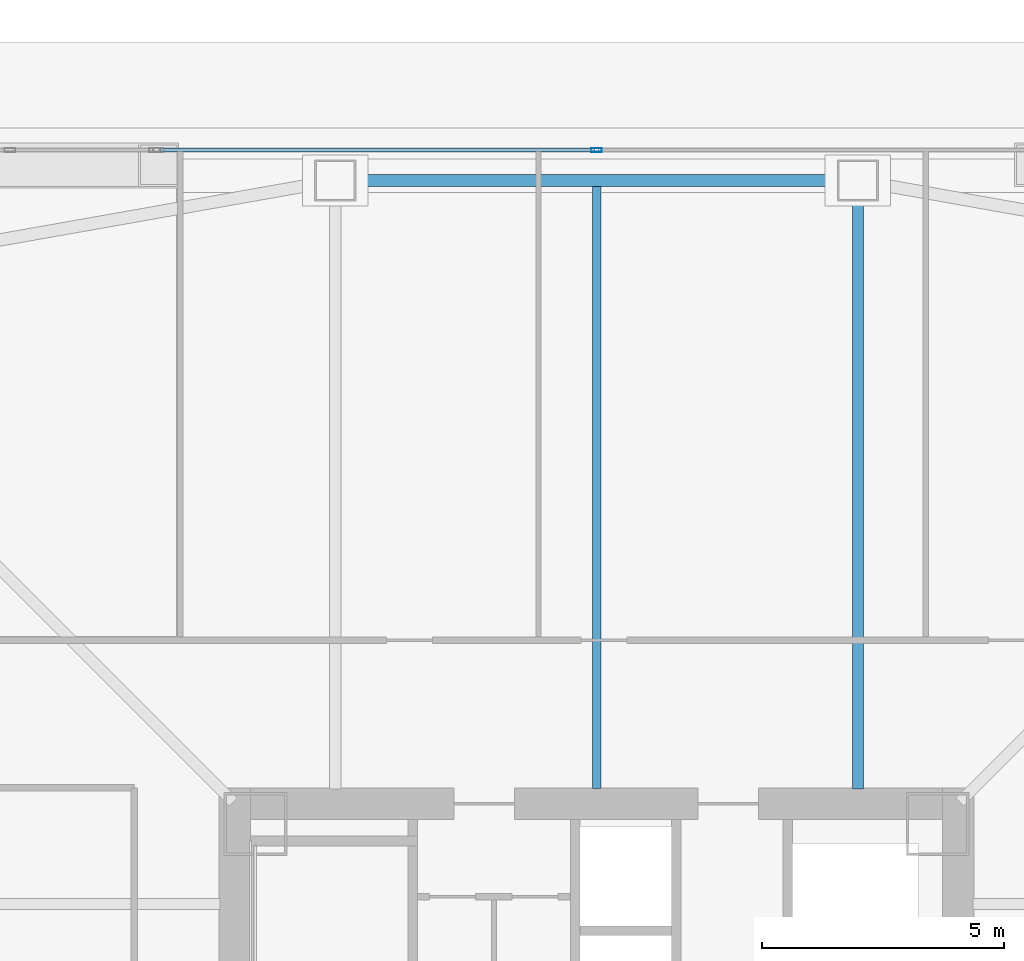
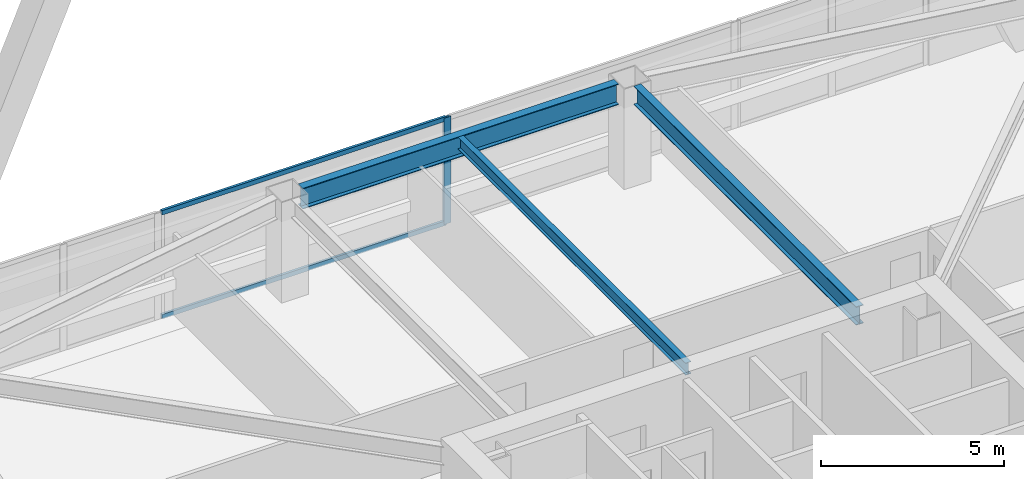
# One storey, part 24 of 67: 3 beams, 3 members, 1 element without a shape of its own.
"""IFC4 building model written with IfcOpenShell, lengths in metres."""

from ifc_helpers import new_model, si_unit, direction, frame, origin, origin_2d, place, context, subcontext, project, spatial, hollow_rectangle, i_section, extrude, material, material_profile, profile_set, type_object, element, aggregate, save


model = new_model("IFC4")

# Units and contexts
model_context = context("Model", 3, precision=1e-05, world=origin(), true_north=direction((0.0, 1.0)))
body_context = subcontext(model_context, "Body", "Model", "MODEL_VIEW")
ifc_project = project(units=[si_unit("LENGTHUNIT", "METRE"), si_unit("AREAUNIT", "SQUARE_METRE"), si_unit("VOLUMEUNIT", "CUBIC_METRE"), si_unit("PLANEANGLEUNIT", "RADIAN"), si_unit("MASSUNIT", "GRAM", prefix="KILO")], contexts=[model_context])

# Site, building, storey
site_placement = place(None, origin())
site = spatial("IfcSite", under=ifc_project, at=site_placement, CompositionType="ELEMENT")
building_placement = place(site_placement, origin())
building = spatial("IfcBuilding", under=site, at=building_placement, Name="Tashvorn Skyway Center", CompositionType="ELEMENT")
storey_placement = place(building_placement, frame((0.0, 0.0, 67.199951171875)))
storey = spatial("IfcBuildingStorey", under=building, at=storey_placement, Name="L17", CompositionType="ELEMENT", Elevation=67.199951171875)

# Beams
ifc_material_1 = material(Name="Steel ASTM A992 Grade 50", Category="steel")
ifc_material_profile_1 = material_profile(ifc_material_1, i_section(OverallWidth=0.22998046875, OverallDepth=0.616943359375, WebThickness=0.01318359375, FlangeThickness=0.022216796875, at=origin_2d()), Name="W24X94")
ifc_profile_set_1 = profile_set([ifc_material_profile_1], Name="Steel ASTM A992 Grade 50")
beam_type_1 = type_object("IfcBeamType", Name="BM-BEAM-W24X94", PredefinedType="BEAM", material=ifc_profile_set_1)
beam_1_placement = place(storey_placement, frame((47.39990234375, 51.929931640625, 3.04150390625), z_axis=(0.0, -1.0, 0.0), x_axis=(1.0, 0.0, 0.0)))
element("IfcBeam", 1, at=beam_1_placement, inside=storey, type_object=beam_type_1, Name="Tower 1 L17 Primary Floor Girder FC-N1", PredefinedType="BEAM", context=body_context, shape_type="SweptSolid", body=[
    extrude(i_section(OverallWidth=0.22998046875, OverallDepth=0.616943359375, WebThickness=0.01318359375, FlangeThickness=0.022216796875, at=origin_2d()), origin(), (0.0, 0.0, 1.0), 12.14990234375),
])
ifc_material_profile_2 = material_profile(ifc_material_1, i_section(OverallWidth=0.177978515625, OverallDepth=0.406005859375, WebThickness=0.0078125, FlangeThickness=0.0126953125, at=origin_2d()), Name="W16X40")
ifc_profile_set_2 = profile_set([ifc_material_profile_2], Name="Steel ASTM A992 Grade 50")
beam_type_2 = type_object("IfcBeamType", Name="BM-JOIST-W16X40", PredefinedType="JOIST", material=ifc_profile_set_2)
beam_2_placement = place(storey_placement, frame((42.0, 39.7900390625, 3.14697265625), z_axis=(0.0, 1.0, 0.0), x_axis=(-1.0, 0.0, 0.0)))
element("IfcBeam", 2, at=beam_2_placement, inside=storey, type_object=beam_type_2, Name="Tower 1 L17 Secondary Composite Joist JN", PredefinedType="JOIST", context=body_context, shape_type="SweptSolid", body=[
    extrude(i_section(OverallWidth=0.177978515625, OverallDepth=0.406005859375, WebThickness=0.0078125, FlangeThickness=0.0126953125, at=origin_2d()), origin(), (0.0, 0.0, 1.0), 12.43994140625),
])
ifc_material_profile_3 = material_profile(ifc_material_1, i_section(OverallWidth=0.256103515625, OverallDepth=0.693115234375, WebThickness=0.014404296875, FlangeThickness=0.023681640625, at=origin_2d()), Name="W27X114")
ifc_profile_set_3 = profile_set([ifc_material_profile_3], Name="Steel ASTM A992 Grade 50")
beam_type_3 = type_object("IfcBeamType", Name="BM-SPANDREL-W27X114", PredefinedType="SPANDREL", material=ifc_profile_set_3)
beam_3_placement = place(storey_placement, frame((46.97998046875, 52.35009765625, 3.003662109375), z_axis=(-1.0, 0.0, 0.0), x_axis=(0.0, -1.0, 0.0)))
element("IfcBeam", 3, at=beam_3_placement, inside=storey, type_object=beam_type_3, Name="Tower 1 L17 Spandrel Beam 08", PredefinedType="SPANDREL", context=body_context, shape_type="SweptSolid", body=[
    extrude(i_section(OverallWidth=0.256103515625, OverallDepth=0.693115234375, WebThickness=0.014404296875, FlangeThickness=0.023681640625, at=origin_2d()), origin(), (0.0, 0.0, 1.0), 9.9599609375),
])

# Curtain wall, members
ifc_material_2 = material(Name="Thermally broken bronze-anodized aluminium 6063-T6", Category="aluminium")
curtain_wall_type = type_object("IfcCurtainWallType", Name="CW-CW-Z2", PredefinedType="NOTDEFINED", material=ifc_material_2)
curtain_wall_placement = place(storey_placement, origin())
curtain_wall = element("IfcCurtainWall", 4, at=curtain_wall_placement, inside=storey, type_object=curtain_wall_type, Name="Tower 1 L17 North Unitised Curtain Wall Glazing Group 2", PredefinedType="NOTDEFINED")
ifc_material_profile_4 = material_profile(ifc_material_2, hollow_rectangle(XDim=0.080078125, YDim=0.219970703125, WallThickness=0.0048828125, at=origin_2d()), Name="ALU-MULL-80x220")
ifc_profile_set_4 = profile_set([ifc_material_profile_4], Name="Thermally broken bronze-anodized aluminium 6063-T6")
member_type_1 = type_object("IfcMemberType", Name="CWM-CW-Z2", PredefinedType="MULLION", material=ifc_profile_set_4)
member_1_placement = place(storey_placement, frame((42.0, 52.97998046875, 0.0), z_axis=(0.0, 0.0, 1.0), x_axis=(0.0, 1.0, 0.0)))
member_1 = element("IfcMember", 5, at=member_1_placement, type_object=member_type_1, Name="CW-Z2 mullion 2", PredefinedType="MULLION", context=body_context, shape_type="SweptSolid", body=[
    extrude(hollow_rectangle(XDim=0.080078125, YDim=0.219970703125, WallThickness=0.0048828125, at=origin_2d()), origin(), (0.0, 0.0, 1.0), 3.550048828125),
])
ifc_material_profile_5 = material_profile(ifc_material_2, hollow_rectangle(XDim=0.080078125, YDim=0.14990234375, WallThickness=0.00439453125, at=origin_2d()), Name="ALU-TRAN-80x150")
ifc_profile_set_5 = profile_set([ifc_material_profile_5], Name="Thermally broken bronze-anodized aluminium 6063-T6")
member_type_2 = type_object("IfcMemberType", Name="CWT-CW-Z2", PredefinedType="USERDEFINED", material=ifc_profile_set_5)
member_2_placement = place(storey_placement, frame((32.989990234375, 52.97998046875, 0.0400390625), z_axis=(1.0, 0.0, 0.0), x_axis=(0.0, 1.0, 0.0)))
member_2 = element("IfcMember", 6, at=member_2_placement, type_object=member_type_2, Name="CW-Z2 transom 1.1", ObjectType="TRANSOM", PredefinedType="USERDEFINED", context=body_context, shape_type="SweptSolid", body=[
    extrude(hollow_rectangle(XDim=0.080078125, YDim=0.14990234375, WallThickness=0.00439453125, at=origin_2d()), origin(), (0.0, 0.0, 1.0), 8.969970703125),
])
member_3_placement = place(storey_placement, frame((32.989990234375, 52.97998046875, 3.510009765625), z_axis=(1.0, 0.0, 0.0), x_axis=(0.0, 1.0, 0.0)))
member_3 = element("IfcMember", 7, at=member_3_placement, type_object=member_type_2, Name="CW-Z2 transom 1.2", ObjectType="TRANSOM", PredefinedType="USERDEFINED", context=body_context, shape_type="SweptSolid", body=[
    extrude(hollow_rectangle(XDim=0.080078125, YDim=0.14990234375, WallThickness=0.00439453125, at=origin_2d()), origin(), (0.0, 0.0, 1.0), 8.969970703125),
])
aggregate(curtain_wall, [member_1, member_2, member_3])

save(model, "model.ifc")
